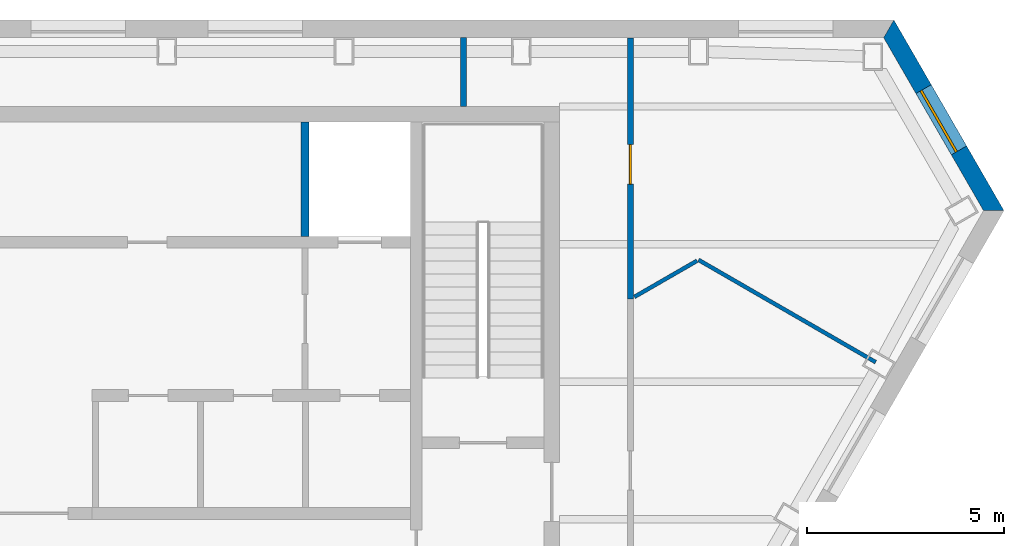
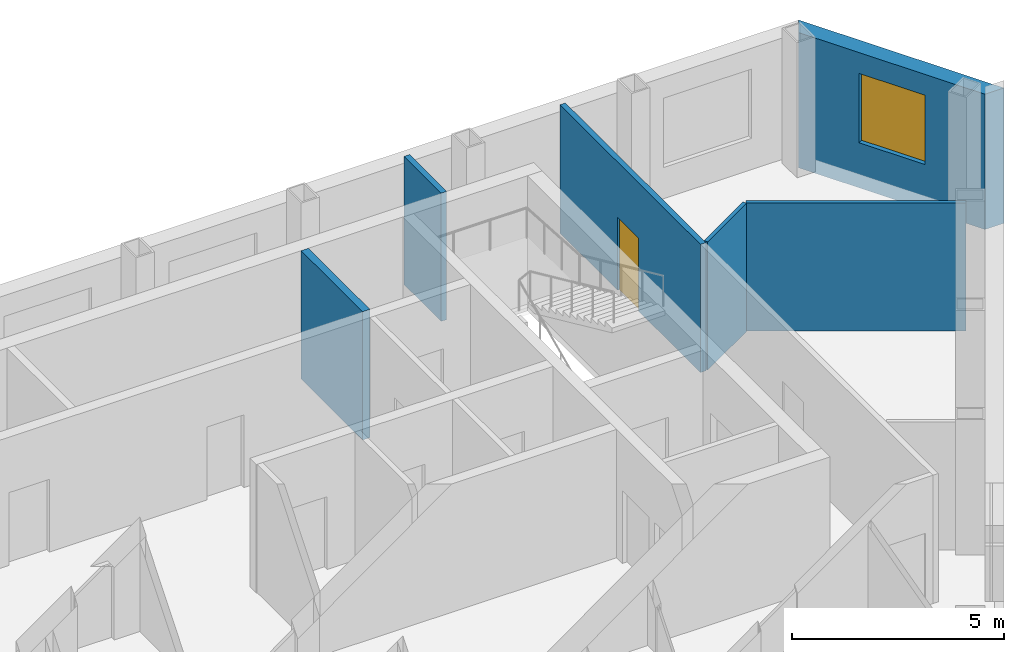
# One storey, part 7 of 10: 6 walls, 1 door, 1 window, 2 openings.
"""IFC4 building model written with IfcOpenShell, lengths in metres."""

from ifc_helpers import new_model, si_unit, direction, frame, frame_2d, origin, place, context, subcontext, project, spatial, polyline, rectangle, outline, extrude, material, layer, layer_set, type_object, element, fill, save


model = new_model("IFC4")

# Units and contexts
model_context = context("Model", 3, precision=1e-05, world=origin(), true_north=direction((0.0, 1.0)))
body_context = subcontext(model_context, "Body", "Model", "MODEL_VIEW")
ifc_project = project(units=[si_unit("LENGTHUNIT", "METRE"), si_unit("AREAUNIT", "SQUARE_METRE"), si_unit("VOLUMEUNIT", "CUBIC_METRE"), si_unit("PLANEANGLEUNIT", "RADIAN"), si_unit("MASSUNIT", "GRAM", prefix="KILO")], contexts=[model_context])

# Site, building, storey
site_placement = place(None, origin())
site = spatial("IfcSite", under=ifc_project, at=site_placement, CompositionType="ELEMENT")
building_placement = place(site_placement, origin())
building = spatial("IfcBuilding", under=site, at=building_placement, Name="Njiva Tower", CompositionType="ELEMENT")
storey_placement = place(building_placement, frame((0.0, 0.0, 276.6)))
storey = spatial("IfcBuildingStorey", under=building, at=storey_placement, Name="L63", CompositionType="ELEMENT", Elevation=276.6)

# Walls
ifc_material_1 = material(Name="Gypsum board on steel studs", Category="gypsum")
ifc_layer_1 = layer(ifc_material_1, 0.1)
ifc_layer_set_1 = layer_set([ifc_layer_1], Name="Gypsum board on steel studs")
wall_type_1 = type_object("IfcWallType", Name="WT20 Gypsum partition 100", PredefinedType="PARTITIONING", material=ifc_layer_set_1)
wall_1_placement = place(storey_placement, frame((16.401, 13.158, 0.0), z_axis=(0.0, 0.0, 1.0), x_axis=(0.866194638357, 0.499706762492, 0.0)))
element("IfcWall", 1, at=wall_1_placement, inside=storey, type_object=wall_type_1, Name="Partition S20-P027", PredefinedType="PARTITIONING", context=body_context, shape_type="SweptSolid", body=[
    extrude(rectangle(XDim=1.8391, YDim=0.1, at=frame_2d((0.9196, 0.0))), origin(), (0.0, 0.0, 1.0), 3.7),
])
wall_2_placement = place(storey_placement, frame((18.032, 14.098, 0.0), z_axis=(0.0, 0.0, 1.0), x_axis=(0.8661055579, -0.499861143294, 0.0)))
element("IfcWall", 2, at=wall_2_placement, inside=storey, type_object=wall_type_1, Name="Partition S20-P028", PredefinedType="PARTITIONING", context=body_context, shape_type="SweptSolid", body=[
    extrude(rectangle(XDim=5.2014, YDim=0.1, at=frame_2d((2.6007, 0.0))), origin(), (0.0, 0.0, 1.0), 3.7),
])
ifc_layer_2 = layer(ifc_material_1, 0.15)
ifc_layer_set_2 = layer_set([ifc_layer_2], Name="Gypsum board on steel studs")
wall_type_2 = type_object("IfcWallType", Name="WT21 Compartment wall 150", PredefinedType="PARTITIONING", material=ifc_layer_set_2)
wall_3_placement = place(storey_placement, frame((12.05, 18.0, 0.0), z_axis=(0.0, 0.0, 1.0), x_axis=(0.0, 1.0, 0.0)))
element("IfcWall", 3, at=wall_3_placement, inside=storey, type_object=wall_type_2, Name="Partition S20-P022", PredefinedType="PARTITIONING", context=body_context, shape_type="SweptSolid", body=[
    extrude(rectangle(XDim=1.75, YDim=0.15, at=frame_2d((0.875, 0.0))), origin(), (0.0, 0.0, 1.0), 3.7),
])

# Wall, opening, door
wall_4_placement = place(storey_placement, frame((16.3, 19.747, 0.0), z_axis=(0.0, 0.0, 1.0), x_axis=(0.000150670482, -0.999999988649, 0.0)))
wall_4 = element("IfcWall", 4, at=wall_4_placement, inside=storey, type_object=wall_type_2, Name="Partition S20-P025", PredefinedType="PARTITIONING", context=body_context, shape_type="SweptSolid", body=[
    extrude(rectangle(XDim=6.637, YDim=0.15, at=frame_2d((3.3185, 0.0))), origin(), (0.0, 0.0, 1.0), 3.7),
])
opening_1_placement = place(wall_4_placement, frame((2.718, 0.0, 0.0)))
opening_1 = element("IfcOpeningElement", 5, at=opening_1_placement, cuts=wall_4, Name="Opening S20-D018", PredefinedType="OPENING", context=body_context, shape_type="SweptSolid", body=[
    extrude(rectangle(XDim=1.0, YDim=2.1, at=frame_2d((0.5, 1.05))), frame((0.0, 0.085, 0.0), z_axis=(0.0, -1.0, 0.0), x_axis=(1.0, 0.0, 0.0)), (0.0, 0.0, 1.0), 0.17),
])
ifc_material_2 = material(Name="Steel fire door set", Category="steel")
door_type = type_object("IfcDoorType", Name="D37 Fire door 1000x2100", OperationType="SINGLE_SWING_LEFT", PredefinedType="DOOR", material=ifc_material_2)
door_placement = place(opening_1_placement, origin())
door = element("IfcDoor", 6, at=door_placement, inside=storey, type_object=door_type, Name="Door S20-D018", OperationType="SINGLE_SWING_RIGHT", OverallHeight=2.1, OverallWidth=1.0, PredefinedType="DOOR", context=body_context, shape_type="SweptSolid", body=[
    extrude(rectangle(XDim=1.0, YDim=2.1, at=frame_2d((0.5, 1.05))), frame((0.0, 0.025, 0.0), z_axis=(0.0, -1.0, 0.0), x_axis=(1.0, 0.0, 0.0)), (0.0, 0.0, 1.0), 0.05),
])
fill(opening_1, door)

# Wall
ifc_material_3 = material(Name="Concrete C40/50", Category="concrete")
ifc_layer_3 = layer(ifc_material_3, 0.2)
ifc_layer_set_3 = layer_set([ifc_layer_3], Name="Concrete C40/50")
wall_type_3 = type_object("IfcWallType", Name="WT6 Lift shaft wall 200", PredefinedType="SHEAR", material=ifc_layer_set_3)
wall_5_placement = place(storey_placement, frame((8.025, 14.7, 0.0), z_axis=(0.0, 0.0, 1.0), x_axis=(0.0, 1.0, 0.0)))
element("IfcWall", 7, at=wall_5_placement, inside=storey, type_object=wall_type_3, Name="Shaft wall CN7", PredefinedType="SHEAR", context=body_context, shape_type="SweptSolid", body=[
    extrude(rectangle(XDim=2.9, YDim=0.2, at=frame_2d((1.45, 0.0))), origin(), (0.0, 0.0, 1.0), 3.7),
])

# Wall, opening, window
ifc_material_4 = material(Name="Brick masonry, buff", Category="masonry")
ifc_layer_4 = layer(ifc_material_4, 0.45)
ifc_layer_set_4 = layer_set([ifc_layer_4], Name="Brick masonry, buff")
wall_type_4 = type_object("IfcWallType", Name="WT94 Brick pier and spandrel wall 450, buff", PredefinedType="SOLIDWALL", material=ifc_layer_set_4)
wall_6_placement = place(storey_placement, frame((25.5402, 15.3503, -0.4), z_axis=(0.0, 0.0, 1.0), x_axis=(-0.500003961967, 0.866023116329, 0.0)))
wall_6 = element("IfcWall", 8, at=wall_6_placement, inside=storey, type_object=wall_type_4, Name="Facade wall NE", PredefinedType="SOLIDWALL", context=body_context, shape_type="SweptSolid", body=[
    extrude(outline(polyline([(-0.1299, -0.225), (5.4701, -0.225), (5.2103, 0.225), (0.1299, 0.225), (-0.1299, -0.225)])), origin(), (0.0, 0.0, 1.0), 3.9),
])
opening_2_placement = place(wall_6_placement, frame((1.7701, 0.0, 1.3)))
opening_2 = element("IfcOpeningElement", 9, at=opening_2_placement, cuts=wall_6, Name="Opening S20-W29", PredefinedType="OPENING", context=body_context, shape_type="SweptSolid", body=[
    extrude(rectangle(XDim=1.8, YDim=2.0, at=frame_2d((0.9, 1.0))), frame((0.0, 0.235, 0.0), z_axis=(0.0, -1.0, 0.0), x_axis=(1.0, 0.0, 0.0)), (0.0, 0.0, 1.0), 0.47),
])
ifc_material_5 = material(Name="Clear glazing in aluminium frame", Category="aluminium")
window_type = type_object("IfcWindowType", Name="W94 Deep-set window 1800x2000", PartitioningType="SINGLE_PANEL", PredefinedType="WINDOW", material=ifc_material_5)
window_placement = place(opening_2_placement, origin())
window = element("IfcWindow", 10, at=window_placement, inside=storey, type_object=window_type, Name="Window", OverallHeight=2.0, OverallWidth=1.8, PartitioningType="SINGLE_PANEL", PredefinedType="WINDOW", context=body_context, shape_type="SweptSolid", body=[
    extrude(rectangle(XDim=1.8, YDim=2.0, at=frame_2d((0.9, 1.0))), frame((0.0, 0.105, 0.0), z_axis=(0.0, -1.0, 0.0), x_axis=(1.0, 0.0, 0.0)), (0.0, 0.0, 1.0), 0.06),
])
fill(opening_2, window)

save(model, "model.ifc")
